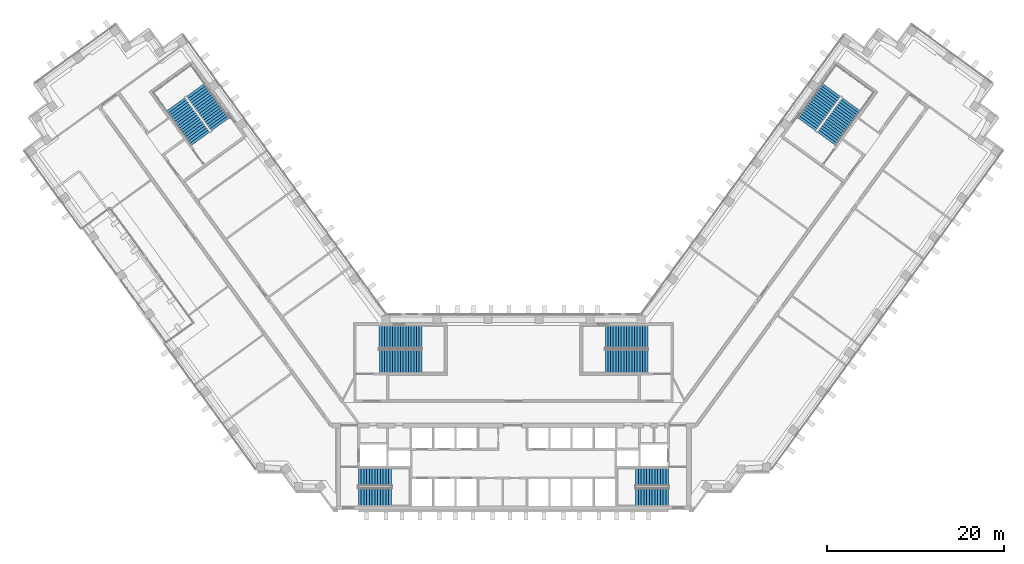
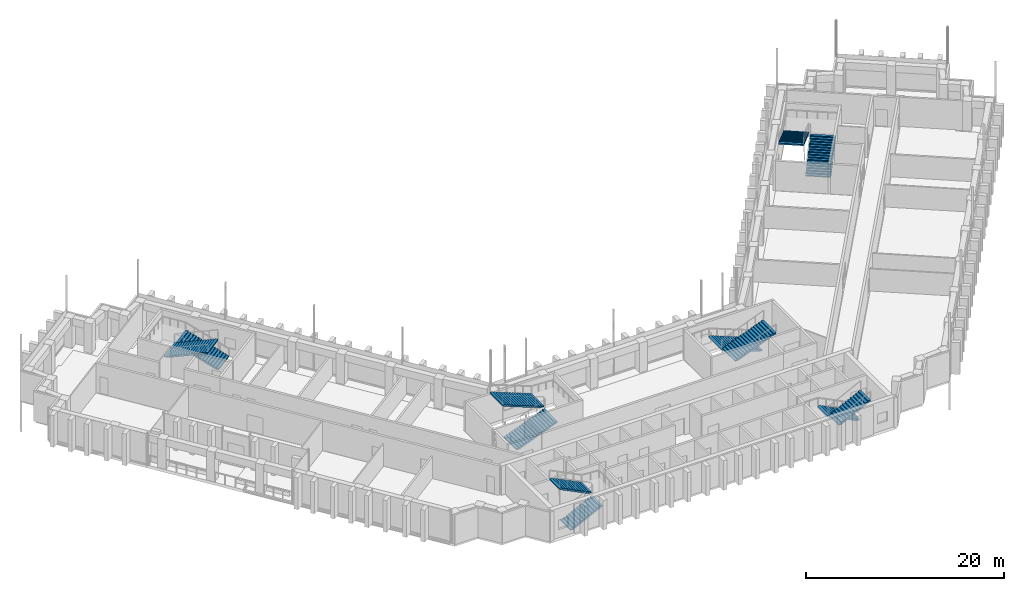
# One storey, part 15 of 19: 12 stair flights, 6 elements without a shape of their own.
"""IFC4 building model written with IfcOpenShell, lengths in metres."""

from ifc_helpers import new_model, si_unit, direction, frame, origin, place, context, subcontext, project, spatial, polyline, outline, extrude, material, type_object, element, aggregate, save


model = new_model("IFC4")

# Units and contexts
model_context = context("Model", 3, precision=1e-05, world=origin(), true_north=direction((0.0, 1.0)))
body_context = subcontext(model_context, "Body", "Model", "MODEL_VIEW")
ifc_project = project(units=[si_unit("LENGTHUNIT", "METRE"), si_unit("AREAUNIT", "SQUARE_METRE"), si_unit("VOLUMEUNIT", "CUBIC_METRE"), si_unit("PLANEANGLEUNIT", "RADIAN"), si_unit("MASSUNIT", "GRAM", prefix="KILO")], contexts=[model_context])

# Site, building, storey
site_placement = place(None, origin())
site = spatial("IfcSite", under=ifc_project, at=site_placement, CompositionType="ELEMENT")
building_placement = place(site_placement, origin())
building = spatial("IfcBuilding", under=site, at=building_placement, Name="Quipu Civic Tower", CompositionType="ELEMENT")
storey_placement = place(building_placement, frame((0.0, 0.0, 47.0)))
storey = spatial("IfcBuildingStorey", under=building, at=storey_placement, Name="L10", CompositionType="ELEMENT", Elevation=47.0)

# Stair, stair flights
ifc_material_1 = material(Name="Concrete C40/50", Category="concrete")
stair_type_1 = type_object("IfcStairType", Name="Half turn stair 2000", PredefinedType="HALF_TURN_STAIR", material=ifc_material_1)
stair_1_placement = place(storey_placement, origin())
stair_1 = element("IfcStair", 1, at=stair_1_placement, inside=storey, type_object=stair_type_1, Name="Exit stair 1", PredefinedType="HALF_TURN_STAIR")
ifc_material_2 = material(Name="Concrete C40/50", Category="concrete")
stair_flight_type_1 = type_object("IfcStairFlightType", Name="Stair flight 2000", PredefinedType="STRAIGHT", material=ifc_material_2)
stair_flight_1_placement = place(storey_placement, frame((-17.5, -9.5, 0.0), z_axis=(0.0, 0.0, 1.0), x_axis=(1.0, 0.0, 0.0)))
stair_flight_1 = element("IfcStairFlight", 2, at=stair_flight_1_placement, type_object=stair_flight_type_1, Name="ST-1 flight 1", NumberOfRisers=13, NumberOfTreads=12, PredefinedType="STRAIGHT", RiserHeight=0.153846154, TreadLength=0.31, context=body_context, shape_type="SweptSolid", body=[
    extrude(outline(polyline([(0.0, 0.0), (0.0, 0.15380859375), (0.31005859375, 0.15380859375), (0.31005859375, 0.3076171875), (0.6201171875, 0.3076171875), (0.6201171875, 0.46142578125), (0.929931640625, 0.46142578125), (0.929931640625, 0.615478515625), (1.239990234375, 0.615478515625), (1.239990234375, 0.769287109375), (1.550048828125, 0.769287109375), (1.550048828125, 0.923095703125), (1.860107421875, 0.923095703125), (1.860107421875, 1.076904296875), (2.169921875, 1.076904296875), (2.169921875, 1.230712890625), (2.47998046875, 1.230712890625), (2.47998046875, 1.384521484375), (2.7900390625, 1.384521484375), (2.7900390625, 1.53857421875), (3.10009765625, 1.53857421875), (3.10009765625, 1.6923828125), (3.409912109375, 1.6923828125), (3.409912109375, 1.84619140625), (3.719970703125, 1.84619140625), (3.719970703125, 2.0), (3.719970703125, 1.6787109375), (0.337158203125, 0.0), (0.0, 0.0)])), frame((0.0, 1.0, 0.0), z_axis=(0.0, -1.0, 0.0), x_axis=(1.0, 0.0, 0.0)), (0.0, 0.0, 1.0), 2.0),
])
stair_flight_2_placement = place(storey_placement, frame((-13.780029296875, -7.25, 2.0), z_axis=(0.0, 0.0, 1.0), x_axis=(-1.0, 0.0, 0.0)))
stair_flight_2 = element("IfcStairFlight", 3, at=stair_flight_2_placement, type_object=stair_flight_type_1, Name="ST-1 flight 2", NumberOfRisers=13, NumberOfTreads=12, PredefinedType="STRAIGHT", RiserHeight=0.153846154, TreadLength=0.31, context=body_context, shape_type="SweptSolid", body=[
    extrude(outline(polyline([(0.0, 0.0), (0.0, 0.15380859375), (0.31005859375, 0.15380859375), (0.31005859375, 0.3076171875), (0.6201171875, 0.3076171875), (0.6201171875, 0.46142578125), (0.929931640625, 0.46142578125), (0.929931640625, 0.615478515625), (1.239990234375, 0.615478515625), (1.239990234375, 0.769287109375), (1.550048828125, 0.769287109375), (1.550048828125, 0.923095703125), (1.860107421875, 0.923095703125), (1.860107421875, 1.076904296875), (2.169921875, 1.076904296875), (2.169921875, 1.230712890625), (2.47998046875, 1.230712890625), (2.47998046875, 1.384521484375), (2.7900390625, 1.384521484375), (2.7900390625, 1.53857421875), (3.10009765625, 1.53857421875), (3.10009765625, 1.6923828125), (3.409912109375, 1.6923828125), (3.409912109375, 1.84619140625), (3.719970703125, 1.84619140625), (3.719970703125, 2.0), (3.719970703125, 1.6787109375), (0.337158203125, 0.0), (0.0, 0.0)])), frame((0.0, 1.0, 0.0), z_axis=(0.0, -1.0, 0.0), x_axis=(1.0, 0.0, 0.0)), (0.0, 0.0, 1.0), 2.0),
])
aggregate(stair_1, [stair_flight_1, stair_flight_2])

stair_2_placement = place(storey_placement, origin())
stair_2 = element("IfcStair", 4, at=stair_2_placement, inside=storey, type_object=stair_type_1, Name="Exit stair 2", PredefinedType="HALF_TURN_STAIR")
stair_flight_3_placement = place(storey_placement, frame((17.5, -7.25, 0.0), z_axis=(0.0, 0.0, 1.0), x_axis=(-1.0, 0.0, 0.0)))
stair_flight_3 = element("IfcStairFlight", 5, at=stair_flight_3_placement, type_object=stair_flight_type_1, Name="ST-2 flight 1", NumberOfRisers=13, NumberOfTreads=12, PredefinedType="STRAIGHT", RiserHeight=0.153846154, TreadLength=0.31, context=body_context, shape_type="SweptSolid", body=[
    extrude(outline(polyline([(0.0, 0.0), (0.0, 0.15380859375), (0.31005859375, 0.15380859375), (0.31005859375, 0.3076171875), (0.6201171875, 0.3076171875), (0.6201171875, 0.46142578125), (0.929931640625, 0.46142578125), (0.929931640625, 0.615478515625), (1.239990234375, 0.615478515625), (1.239990234375, 0.769287109375), (1.550048828125, 0.769287109375), (1.550048828125, 0.923095703125), (1.860107421875, 0.923095703125), (1.860107421875, 1.076904296875), (2.169921875, 1.076904296875), (2.169921875, 1.230712890625), (2.47998046875, 1.230712890625), (2.47998046875, 1.384521484375), (2.7900390625, 1.384521484375), (2.7900390625, 1.53857421875), (3.10009765625, 1.53857421875), (3.10009765625, 1.6923828125), (3.409912109375, 1.6923828125), (3.409912109375, 1.84619140625), (3.719970703125, 1.84619140625), (3.719970703125, 2.0), (3.719970703125, 1.6787109375), (0.337158203125, 0.0), (0.0, 0.0)])), frame((0.0, 1.0, 0.0), z_axis=(0.0, -1.0, 0.0), x_axis=(1.0, 0.0, 0.0)), (0.0, 0.0, 1.0), 2.0),
])
stair_flight_4_placement = place(storey_placement, frame((13.780029296875, -9.5, 2.0), z_axis=(0.0, 0.0, 1.0), x_axis=(1.0, 0.0, 0.0)))
stair_flight_4 = element("IfcStairFlight", 6, at=stair_flight_4_placement, type_object=stair_flight_type_1, Name="ST-2 flight 2", NumberOfRisers=13, NumberOfTreads=12, PredefinedType="STRAIGHT", RiserHeight=0.153846154, TreadLength=0.31, context=body_context, shape_type="SweptSolid", body=[
    extrude(outline(polyline([(0.0, 0.0), (0.0, 0.15380859375), (0.31005859375, 0.15380859375), (0.31005859375, 0.3076171875), (0.6201171875, 0.3076171875), (0.6201171875, 0.46142578125), (0.929931640625, 0.46142578125), (0.929931640625, 0.615478515625), (1.239990234375, 0.615478515625), (1.239990234375, 0.769287109375), (1.550048828125, 0.769287109375), (1.550048828125, 0.923095703125), (1.860107421875, 0.923095703125), (1.860107421875, 1.076904296875), (2.169921875, 1.076904296875), (2.169921875, 1.230712890625), (2.47998046875, 1.230712890625), (2.47998046875, 1.384521484375), (2.7900390625, 1.384521484375), (2.7900390625, 1.53857421875), (3.10009765625, 1.53857421875), (3.10009765625, 1.6923828125), (3.409912109375, 1.6923828125), (3.409912109375, 1.84619140625), (3.719970703125, 1.84619140625), (3.719970703125, 2.0), (3.719970703125, 1.6787109375), (0.337158203125, 0.0), (0.0, 0.0)])), frame((0.0, 1.0, 0.0), z_axis=(0.0, -1.0, 0.0), x_axis=(1.0, 0.0, 0.0)), (0.0, 0.0, 1.0), 2.0),
])
aggregate(stair_2, [stair_flight_3, stair_flight_4])

ifc_material_3 = material(Name="Concrete C40/50", Category="concrete")
stair_type_2 = type_object("IfcStairType", Name="Half turn stair 2600", PredefinedType="HALF_TURN_STAIR", material=ifc_material_3)
stair_3_placement = place(storey_placement, origin())
stair_3 = element("IfcStair", 7, at=stair_3_placement, inside=storey, type_object=stair_type_2, Name="Exit stair 3", PredefinedType="HALF_TURN_STAIR")
ifc_material_4 = material(Name="Concrete C40/50", Category="concrete")
stair_flight_type_2 = type_object("IfcStairFlightType", Name="Stair flight 2600", PredefinedType="STRAIGHT", material=ifc_material_4)
stair_flight_5_placement = place(storey_placement, frame((-15.14990234375, 5.800048828125, 0.0), z_axis=(0.0, 0.0, 1.0), x_axis=(1.0, 0.0, 0.0)))
stair_flight_5 = element("IfcStairFlight", 8, at=stair_flight_5_placement, type_object=stair_flight_type_2, Name="ST-3 flight 1", NumberOfRisers=17, NumberOfTreads=16, PredefinedType="STRAIGHT", RiserHeight=0.117647059, TreadLength=0.3, context=body_context, shape_type="SweptSolid", body=[
    extrude(outline(polyline([(0.0, 0.0), (0.0, 0.11767578125), (0.300048828125, 0.11767578125), (0.300048828125, 0.2353515625), (0.60009765625, 0.2353515625), (0.60009765625, 0.35302734375), (0.89990234375, 0.35302734375), (0.89990234375, 0.470703125), (1.199951171875, 0.470703125), (1.199951171875, 0.588134765625), (1.5, 0.588134765625), (1.5, 0.705810546875), (1.800048828125, 0.705810546875), (1.800048828125, 0.823486328125), (2.10009765625, 0.823486328125), (2.10009765625, 0.941162109375), (2.39990234375, 0.941162109375), (2.39990234375, 1.058837890625), (2.699951171875, 1.058837890625), (2.699951171875, 1.176513671875), (3.0, 1.176513671875), (3.0, 1.294189453125), (3.300048828125, 1.294189453125), (3.300048828125, 1.411865234375), (3.60009765625, 1.411865234375), (3.60009765625, 1.529296875), (3.89990234375, 1.529296875), (3.89990234375, 1.64697265625), (4.199951171875, 1.64697265625), (4.199951171875, 1.7646484375), (4.5, 1.7646484375), (4.5, 1.88232421875), (4.800048828125, 1.88232421875), (4.800048828125, 2.0), (4.800048828125, 1.721435546875), (0.41064453125, 0.0), (0.0, 0.0)])), frame((0.0, 1.300048828125, 0.0), z_axis=(0.0, -1.0, 0.0), x_axis=(1.0, 0.0, 0.0)), (0.0, 0.0, 1.0), 2.60009765625),
])
stair_flight_6_placement = place(storey_placement, frame((-10.35009765625, 8.550048828125, 2.0), z_axis=(0.0, 0.0, 1.0), x_axis=(-1.0, 0.0, 0.0)))
stair_flight_6 = element("IfcStairFlight", 9, at=stair_flight_6_placement, type_object=stair_flight_type_2, Name="ST-3 flight 2", NumberOfRisers=17, NumberOfTreads=16, PredefinedType="STRAIGHT", RiserHeight=0.117647059, TreadLength=0.3, context=body_context, shape_type="SweptSolid", body=[
    extrude(outline(polyline([(0.0, 0.0), (0.0, 0.11767578125), (0.300048828125, 0.11767578125), (0.300048828125, 0.2353515625), (0.60009765625, 0.2353515625), (0.60009765625, 0.35302734375), (0.89990234375, 0.35302734375), (0.89990234375, 0.470703125), (1.199951171875, 0.470703125), (1.199951171875, 0.588134765625), (1.5, 0.588134765625), (1.5, 0.705810546875), (1.800048828125, 0.705810546875), (1.800048828125, 0.823486328125), (2.10009765625, 0.823486328125), (2.10009765625, 0.941162109375), (2.39990234375, 0.941162109375), (2.39990234375, 1.058837890625), (2.699951171875, 1.058837890625), (2.699951171875, 1.176513671875), (3.0, 1.176513671875), (3.0, 1.294189453125), (3.300048828125, 1.294189453125), (3.300048828125, 1.411865234375), (3.60009765625, 1.411865234375), (3.60009765625, 1.529296875), (3.89990234375, 1.529296875), (3.89990234375, 1.64697265625), (4.199951171875, 1.64697265625), (4.199951171875, 1.7646484375), (4.5, 1.7646484375), (4.5, 1.88232421875), (4.800048828125, 1.88232421875), (4.800048828125, 2.0), (4.800048828125, 1.721435546875), (0.41064453125, 0.0), (0.0, 0.0)])), frame((0.0, 1.300048828125, 0.0), z_axis=(0.0, -1.0, 0.0), x_axis=(1.0, 0.0, 0.0)), (0.0, 0.0, 1.0), 2.60009765625),
])
aggregate(stair_3, [stair_flight_5, stair_flight_6])

stair_4_placement = place(storey_placement, origin())
stair_4 = element("IfcStair", 10, at=stair_4_placement, inside=storey, type_object=stair_type_2, Name="Exit stair 4", PredefinedType="HALF_TURN_STAIR")
stair_flight_7_placement = place(storey_placement, frame((15.14990234375, 8.550048828125, 0.0), z_axis=(0.0, 0.0, 1.0), x_axis=(-1.0, 0.0, 0.0)))
stair_flight_7 = element("IfcStairFlight", 11, at=stair_flight_7_placement, type_object=stair_flight_type_2, Name="ST-4 flight 1", NumberOfRisers=17, NumberOfTreads=16, PredefinedType="STRAIGHT", RiserHeight=0.117647059, TreadLength=0.3, context=body_context, shape_type="SweptSolid", body=[
    extrude(outline(polyline([(0.0, 0.0), (0.0, 0.11767578125), (0.300048828125, 0.11767578125), (0.300048828125, 0.2353515625), (0.60009765625, 0.2353515625), (0.60009765625, 0.35302734375), (0.89990234375, 0.35302734375), (0.89990234375, 0.470703125), (1.199951171875, 0.470703125), (1.199951171875, 0.588134765625), (1.5, 0.588134765625), (1.5, 0.705810546875), (1.800048828125, 0.705810546875), (1.800048828125, 0.823486328125), (2.10009765625, 0.823486328125), (2.10009765625, 0.941162109375), (2.39990234375, 0.941162109375), (2.39990234375, 1.058837890625), (2.699951171875, 1.058837890625), (2.699951171875, 1.176513671875), (3.0, 1.176513671875), (3.0, 1.294189453125), (3.300048828125, 1.294189453125), (3.300048828125, 1.411865234375), (3.60009765625, 1.411865234375), (3.60009765625, 1.529296875), (3.89990234375, 1.529296875), (3.89990234375, 1.64697265625), (4.199951171875, 1.64697265625), (4.199951171875, 1.7646484375), (4.5, 1.7646484375), (4.5, 1.88232421875), (4.800048828125, 1.88232421875), (4.800048828125, 2.0), (4.800048828125, 1.721435546875), (0.41064453125, 0.0), (0.0, 0.0)])), frame((0.0, 1.300048828125, 0.0), z_axis=(0.0, -1.0, 0.0), x_axis=(1.0, 0.0, 0.0)), (0.0, 0.0, 1.0), 2.60009765625),
])
stair_flight_8_placement = place(storey_placement, frame((10.35009765625, 5.800048828125, 2.0), z_axis=(0.0, 0.0, 1.0), x_axis=(1.0, 0.0, 0.0)))
stair_flight_8 = element("IfcStairFlight", 12, at=stair_flight_8_placement, type_object=stair_flight_type_2, Name="ST-4 flight 2", NumberOfRisers=17, NumberOfTreads=16, PredefinedType="STRAIGHT", RiserHeight=0.117647059, TreadLength=0.3, context=body_context, shape_type="SweptSolid", body=[
    extrude(outline(polyline([(0.0, 0.0), (0.0, 0.11767578125), (0.300048828125, 0.11767578125), (0.300048828125, 0.2353515625), (0.60009765625, 0.2353515625), (0.60009765625, 0.35302734375), (0.89990234375, 0.35302734375), (0.89990234375, 0.470703125), (1.199951171875, 0.470703125), (1.199951171875, 0.588134765625), (1.5, 0.588134765625), (1.5, 0.705810546875), (1.800048828125, 0.705810546875), (1.800048828125, 0.823486328125), (2.10009765625, 0.823486328125), (2.10009765625, 0.941162109375), (2.39990234375, 0.941162109375), (2.39990234375, 1.058837890625), (2.699951171875, 1.058837890625), (2.699951171875, 1.176513671875), (3.0, 1.176513671875), (3.0, 1.294189453125), (3.300048828125, 1.294189453125), (3.300048828125, 1.411865234375), (3.60009765625, 1.411865234375), (3.60009765625, 1.529296875), (3.89990234375, 1.529296875), (3.89990234375, 1.64697265625), (4.199951171875, 1.64697265625), (4.199951171875, 1.7646484375), (4.5, 1.7646484375), (4.5, 1.88232421875), (4.800048828125, 1.88232421875), (4.800048828125, 2.0), (4.800048828125, 1.721435546875), (0.41064453125, 0.0), (0.0, 0.0)])), frame((0.0, 1.300048828125, 0.0), z_axis=(0.0, -1.0, 0.0), x_axis=(1.0, 0.0, 0.0)), (0.0, 0.0, 1.0), 2.60009765625),
])
aggregate(stair_4, [stair_flight_7, stair_flight_8])

stair_5_placement = place(storey_placement, origin())
stair_5 = element("IfcStair", 13, at=stair_5_placement, inside=storey, type_object=stair_type_2, Name="Exit stair 6", PredefinedType="HALF_TURN_STAIR")
stair_flight_9_placement = place(storey_placement, frame((-33.067626953125, 32.5322265625, 0.0), z_axis=(0.0, 0.0, 1.0), x_axis=(-0.587785252292, 0.809016994375, 0.0)))
stair_flight_9 = element("IfcStairFlight", 14, at=stair_flight_9_placement, type_object=stair_flight_type_2, Name="ST-6 flight 1", NumberOfRisers=17, NumberOfTreads=16, PredefinedType="STRAIGHT", RiserHeight=0.117647059, TreadLength=0.3, context=body_context, shape_type="SweptSolid", body=[
    extrude(outline(polyline([(0.0, 0.0), (0.0, 0.11767578125), (0.300048828125, 0.11767578125), (0.300048828125, 0.2353515625), (0.60009765625, 0.2353515625), (0.60009765625, 0.35302734375), (0.89990234375, 0.35302734375), (0.89990234375, 0.470703125), (1.199951171875, 0.470703125), (1.199951171875, 0.588134765625), (1.5, 0.588134765625), (1.5, 0.705810546875), (1.800048828125, 0.705810546875), (1.800048828125, 0.823486328125), (2.10009765625, 0.823486328125), (2.10009765625, 0.941162109375), (2.39990234375, 0.941162109375), (2.39990234375, 1.058837890625), (2.699951171875, 1.058837890625), (2.699951171875, 1.176513671875), (3.0, 1.176513671875), (3.0, 1.294189453125), (3.300048828125, 1.294189453125), (3.300048828125, 1.411865234375), (3.60009765625, 1.411865234375), (3.60009765625, 1.529296875), (3.89990234375, 1.529296875), (3.89990234375, 1.64697265625), (4.199951171875, 1.64697265625), (4.199951171875, 1.7646484375), (4.5, 1.7646484375), (4.5, 1.88232421875), (4.800048828125, 1.88232421875), (4.800048828125, 2.0), (4.800048828125, 1.721435546875), (0.41064453125, 0.0), (0.0, 0.0)])), frame((0.0, 1.300048828125, 0.0), z_axis=(0.0, -1.0, 0.0), x_axis=(1.0, 0.0, 0.0)), (0.0, 0.0, 1.0), 2.60009765625),
])
stair_flight_10_placement = place(storey_placement, frame((-38.11376953125, 34.799072265625, 2.0), z_axis=(0.0, 0.0, 1.0), x_axis=(0.587785252292, -0.809016994375, 0.0)))
stair_flight_10 = element("IfcStairFlight", 15, at=stair_flight_10_placement, type_object=stair_flight_type_2, Name="ST-6 flight 2", NumberOfRisers=17, NumberOfTreads=16, PredefinedType="STRAIGHT", RiserHeight=0.117647059, TreadLength=0.3, context=body_context, shape_type="SweptSolid", body=[
    extrude(outline(polyline([(0.0, 0.0), (0.0, 0.11767578125), (0.300048828125, 0.11767578125), (0.300048828125, 0.2353515625), (0.60009765625, 0.2353515625), (0.60009765625, 0.35302734375), (0.89990234375, 0.35302734375), (0.89990234375, 0.470703125), (1.199951171875, 0.470703125), (1.199951171875, 0.588134765625), (1.5, 0.588134765625), (1.5, 0.705810546875), (1.800048828125, 0.705810546875), (1.800048828125, 0.823486328125), (2.10009765625, 0.823486328125), (2.10009765625, 0.941162109375), (2.39990234375, 0.941162109375), (2.39990234375, 1.058837890625), (2.699951171875, 1.058837890625), (2.699951171875, 1.176513671875), (3.0, 1.176513671875), (3.0, 1.294189453125), (3.300048828125, 1.294189453125), (3.300048828125, 1.411865234375), (3.60009765625, 1.411865234375), (3.60009765625, 1.529296875), (3.89990234375, 1.529296875), (3.89990234375, 1.64697265625), (4.199951171875, 1.64697265625), (4.199951171875, 1.7646484375), (4.5, 1.7646484375), (4.5, 1.88232421875), (4.800048828125, 1.88232421875), (4.800048828125, 2.0), (4.800048828125, 1.721435546875), (0.41064453125, 0.0), (0.0, 0.0)])), frame((0.0, 1.300048828125, 0.0), z_axis=(0.0, -1.0, 0.0), x_axis=(1.0, 0.0, 0.0)), (0.0, 0.0, 1.0), 2.60009765625),
])
aggregate(stair_5, [stair_flight_9, stair_flight_10])

stair_6_placement = place(storey_placement, origin())
stair_6 = element("IfcStair", 16, at=stair_6_placement, inside=storey, type_object=stair_type_2, Name="Exit stair 7", PredefinedType="HALF_TURN_STAIR")
stair_flight_11_placement = place(storey_placement, frame((35.29248046875, 30.915771484375, 0.0), z_axis=(0.0, 0.0, 1.0), x_axis=(0.587785252292, 0.809016994375, 0.0)))
stair_flight_11 = element("IfcStairFlight", 17, at=stair_flight_11_placement, type_object=stair_flight_type_2, Name="ST-7 flight 1", NumberOfRisers=17, NumberOfTreads=16, PredefinedType="STRAIGHT", RiserHeight=0.117647059, TreadLength=0.3, context=body_context, shape_type="SweptSolid", body=[
    extrude(outline(polyline([(0.0, 0.0), (0.0, 0.11767578125), (0.300048828125, 0.11767578125), (0.300048828125, 0.2353515625), (0.60009765625, 0.2353515625), (0.60009765625, 0.35302734375), (0.89990234375, 0.35302734375), (0.89990234375, 0.470703125), (1.199951171875, 0.470703125), (1.199951171875, 0.588134765625), (1.5, 0.588134765625), (1.5, 0.705810546875), (1.800048828125, 0.705810546875), (1.800048828125, 0.823486328125), (2.10009765625, 0.823486328125), (2.10009765625, 0.941162109375), (2.39990234375, 0.941162109375), (2.39990234375, 1.058837890625), (2.699951171875, 1.058837890625), (2.699951171875, 1.176513671875), (3.0, 1.176513671875), (3.0, 1.294189453125), (3.300048828125, 1.294189453125), (3.300048828125, 1.411865234375), (3.60009765625, 1.411865234375), (3.60009765625, 1.529296875), (3.89990234375, 1.529296875), (3.89990234375, 1.64697265625), (4.199951171875, 1.64697265625), (4.199951171875, 1.7646484375), (4.5, 1.7646484375), (4.5, 1.88232421875), (4.800048828125, 1.88232421875), (4.800048828125, 2.0), (4.800048828125, 1.721435546875), (0.41064453125, 0.0), (0.0, 0.0)])), frame((0.0, 1.300048828125, 0.0), z_axis=(0.0, -1.0, 0.0), x_axis=(1.0, 0.0, 0.0)), (0.0, 0.0, 1.0), 2.60009765625),
])
stair_flight_12_placement = place(storey_placement, frame((35.888916015625, 36.41552734375, 2.0), z_axis=(0.0, 0.0, 1.0), x_axis=(-0.587785252292, -0.809016994375, 0.0)))
stair_flight_12 = element("IfcStairFlight", 18, at=stair_flight_12_placement, type_object=stair_flight_type_2, Name="ST-7 flight 2", NumberOfRisers=17, NumberOfTreads=16, PredefinedType="STRAIGHT", RiserHeight=0.117647059, TreadLength=0.3, context=body_context, shape_type="SweptSolid", body=[
    extrude(outline(polyline([(0.0, 0.0), (0.0, 0.11767578125), (0.300048828125, 0.11767578125), (0.300048828125, 0.2353515625), (0.60009765625, 0.2353515625), (0.60009765625, 0.35302734375), (0.89990234375, 0.35302734375), (0.89990234375, 0.470703125), (1.199951171875, 0.470703125), (1.199951171875, 0.588134765625), (1.5, 0.588134765625), (1.5, 0.705810546875), (1.800048828125, 0.705810546875), (1.800048828125, 0.823486328125), (2.10009765625, 0.823486328125), (2.10009765625, 0.941162109375), (2.39990234375, 0.941162109375), (2.39990234375, 1.058837890625), (2.699951171875, 1.058837890625), (2.699951171875, 1.176513671875), (3.0, 1.176513671875), (3.0, 1.294189453125), (3.300048828125, 1.294189453125), (3.300048828125, 1.411865234375), (3.60009765625, 1.411865234375), (3.60009765625, 1.529296875), (3.89990234375, 1.529296875), (3.89990234375, 1.64697265625), (4.199951171875, 1.64697265625), (4.199951171875, 1.7646484375), (4.5, 1.7646484375), (4.5, 1.88232421875), (4.800048828125, 1.88232421875), (4.800048828125, 2.0), (4.800048828125, 1.721435546875), (0.41064453125, 0.0), (0.0, 0.0)])), frame((0.0, 1.300048828125, 0.0), z_axis=(0.0, -1.0, 0.0), x_axis=(1.0, 0.0, 0.0)), (0.0, 0.0, 1.0), 2.60009765625),
])
aggregate(stair_6, [stair_flight_11, stair_flight_12])

save(model, "model.ifc")
